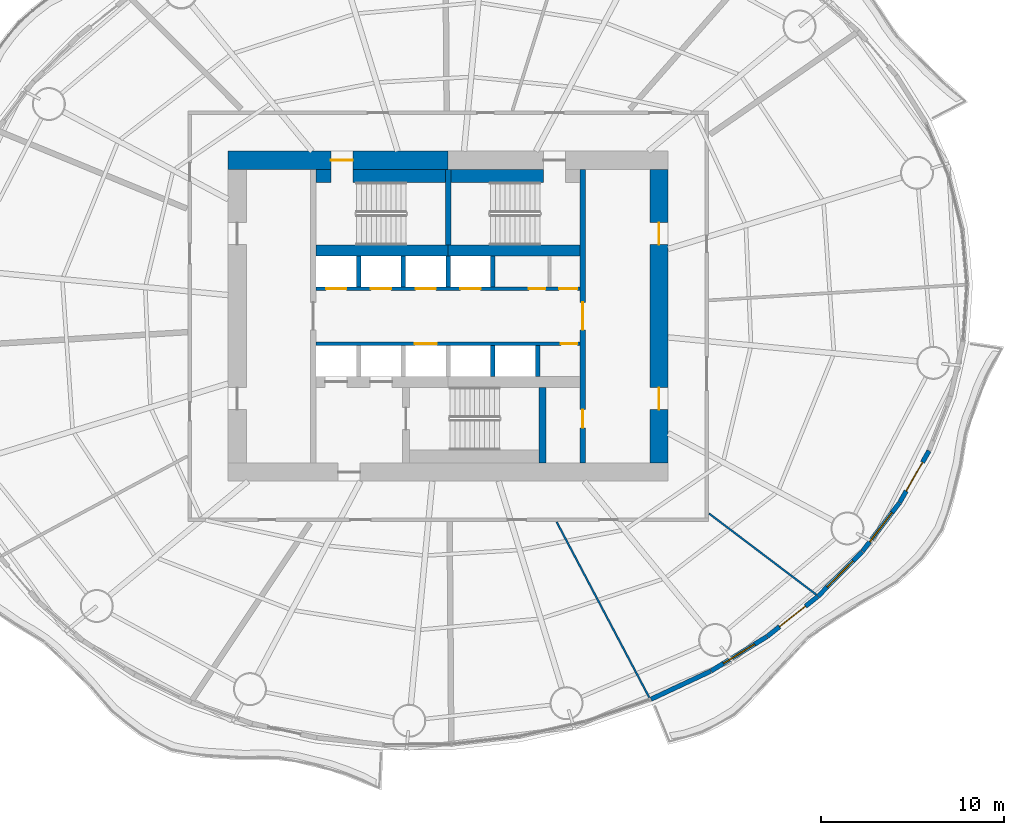
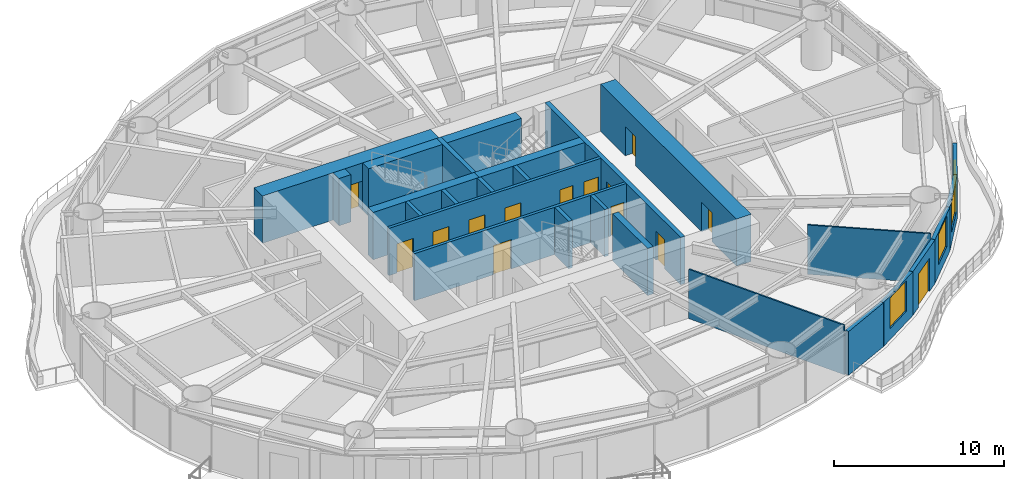
# One storey, part 9 of 16: 26 walls, 15 doors, 3 windows, 18 openings.
"""IFC4 building model written with IfcOpenShell, lengths in metres."""

from ifc_helpers import new_model, si_unit, direction, frame, frame_2d, origin, place, context, subcontext, project, spatial, rectangle, extrude, material, layer, layer_set, type_object, element, fill, save


model = new_model("IFC4")

# Units and contexts
model_context = context("Model", 3, precision=1e-05, world=origin(), true_north=direction((0.0, 1.0)))
body_context = subcontext(model_context, "Body", "Model", "MODEL_VIEW")
ifc_project = project(units=[si_unit("LENGTHUNIT", "METRE"), si_unit("AREAUNIT", "SQUARE_METRE"), si_unit("VOLUMEUNIT", "CUBIC_METRE"), si_unit("PLANEANGLEUNIT", "RADIAN"), si_unit("MASSUNIT", "GRAM", prefix="KILO")], contexts=[model_context])

# Site, building, storey
site_placement = place(None, origin())
site = spatial("IfcSite", under=ifc_project, at=site_placement, CompositionType="ELEMENT")
building_placement = place(site_placement, origin())
building = spatial("IfcBuilding", under=site, at=building_placement, Name="Vermilion Reach Broadcast Tower", CompositionType="ELEMENT")
storey_placement = place(building_placement, frame((0.0, 0.0, 73.0)))
storey = spatial("IfcBuildingStorey", under=building, at=storey_placement, Name="L15", CompositionType="ELEMENT", Elevation=73.0)

# Wall, openings, doors
ifc_material_1 = material(Name="Concrete C70", Category="concrete")
ifc_layer_1 = layer(ifc_material_1, 0.300048828125)
ifc_layer_set_1 = layer_set([ifc_layer_1], Name="Core inner wall 300 mm Concrete C70")
wall_type_1 = type_object("IfcWallType", Name="Core inner wall 300 mm Concrete C70", PredefinedType="SHEAR", material=ifc_layer_set_1)
wall_1_placement = place(storey_placement, frame((1.35009765625, -8.0, 0.0), z_axis=(0.0, 0.0, 1.0), x_axis=(0.0, 1.0, 0.0)))
wall_1 = element("IfcWall", 1, at=wall_1_placement, inside=storey, type_object=wall_type_1, Name="L15 core wall ewE", PredefinedType="SHEAR", context=body_context, shape_type="SweptSolid", body=[
    extrude(rectangle(XDim=16.0, YDim=0.300048828125, at=frame_2d((8.0, 0.0))), origin(), (0.0, 0.0, 1.0), 3.39990234375),
])
opening_1_placement = place(wall_1_placement, frame((1.909912109375, 0.0, 0.0)))
opening_1 = element("IfcOpeningElement", 2, at=opening_1_placement, cuts=wall_1, Name="Opening D05", PredefinedType="OPENING", context=body_context, shape_type="SweptSolid", body=[
    extrude(rectangle(XDim=1.0, YDim=2.10009765625, at=frame_2d((0.5, 1.050048828125))), frame((0.0, 0.159912109375, 0.0), z_axis=(0.0, -1.0, 0.0), x_axis=(1.0, 0.0, 0.0)), (0.0, 0.0, 1.0), 0.320068359375),
])
opening_2_placement = place(wall_1_placement, frame((7.25, 0.0, 0.0)))
opening_2 = element("IfcOpeningElement", 3, at=opening_2_placement, cuts=wall_1, Name="Opening D04", PredefinedType="OPENING", context=body_context, shape_type="SweptSolid", body=[
    extrude(rectangle(XDim=1.5, YDim=2.10009765625, at=frame_2d((0.75, 1.050048828125))), frame((0.0, 0.159912109375, 0.0), z_axis=(0.0, -1.0, 0.0), x_axis=(1.0, 0.0, 0.0)), (0.0, 0.0, 1.0), 0.320068359375),
])
ifc_material_2 = material(Name="Painted steel fire door", Category="steel")
door_type_1 = type_object("IfcDoorType", Name="Lift lobby door 1500 x 2100", OperationType="DOUBLE_DOOR_SINGLE_SWING", PredefinedType="NOTDEFINED", material=ifc_material_2)
door_1_placement = place(opening_2_placement, origin())
door_1 = element("IfcDoor", 4, at=door_1_placement, inside=storey, type_object=door_type_1, Name="L15 band door BE", OperationType="DOUBLE_DOOR_SINGLE_SWING", OverallHeight=2.10009765625, OverallWidth=1.5, PredefinedType="NOTDEFINED", context=body_context, shape_type="SweptSolid", body=[
    extrude(rectangle(XDim=1.5, YDim=2.10009765625, at=frame_2d((0.75, 1.050048828125))), frame((0.0, 0.02490234375, 0.0), z_axis=(0.0, -1.0, 0.0), x_axis=(1.0, 0.0, 0.0)), (0.0, 0.0, 1.0), 0.050048828125),
])
fill(opening_2, door_1)
ifc_material_3 = material(Name="Timber door", Category="wood")
door_type_2 = type_object("IfcDoorType", Name="Room door 1000 x 2100", OperationType="NOTDEFINED", PredefinedType="NOTDEFINED", material=ifc_material_3)
door_2_placement = place(opening_1_placement, origin())
door_2 = element("IfcDoor", 5, at=door_2_placement, inside=storey, type_object=door_type_2, Name="L15 door SER", OperationType="SINGLE_SWING_LEFT", OverallHeight=2.10009765625, OverallWidth=1.0, PredefinedType="NOTDEFINED", context=body_context, shape_type="SweptSolid", body=[
    extrude(rectangle(XDim=1.0, YDim=2.10009765625, at=frame_2d((0.5, 1.050048828125))), frame((0.0, 0.02490234375, 0.0), z_axis=(0.0, -1.0, 0.0), x_axis=(1.0, 0.0, 0.0)), (0.0, 0.0, 1.0), 0.050048828125),
])
fill(opening_1, door_2)

# Walls
wall_2_placement = place(storey_placement, frame((-6.0, 3.8798828125, 0.0), z_axis=(0.0, 0.0, 1.0), x_axis=(0.0, 1.0, 0.0)))
element("IfcWall", 6, at=wall_2_placement, inside=storey, type_object=wall_type_1, Name="L15 core wall wc", PredefinedType="SHEAR", context=body_context, shape_type="SweptSolid", body=[
    extrude(rectangle(XDim=4.1201171875, YDim=0.300048828125, at=frame_2d((2.06005859375, 0.0))), origin(), (0.0, 0.0, 1.0), 3.39990234375),
])
ifc_material_4 = material(Name="Concrete C70", Category="concrete")
ifc_layer_2 = layer(ifc_material_4, 0.39990234375)
ifc_layer_set_2 = layer_set([ifc_layer_2], Name="Core inner wall 400 mm Concrete C70")
wall_type_2 = type_object("IfcWallType", Name="Core inner wall 400 mm Concrete C70", PredefinedType="SHEAR", material=ifc_layer_set_2)
wall_3_placement = place(storey_placement, frame((-0.85009765625, -3.8798828125, 0.0), z_axis=(0.0, 0.0, 1.0), x_axis=(0.0, -1.0, 0.0)))
element("IfcWall", 7, at=wall_3_placement, inside=storey, type_object=wall_type_2, Name="L15 core wall wb", PredefinedType="SHEAR", context=body_context, shape_type="SweptSolid", body=[
    extrude(rectangle(XDim=4.1201171875, YDim=0.39990234375, at=frame_2d((2.06005859375, 0.0))), origin(), (0.0, 0.0, 1.0), 3.39990234375),
])
ifc_material_5 = material(Name="Concrete C70", Category="concrete")
ifc_layer_3 = layer(ifc_material_5, 0.60009765625)
ifc_layer_set_3 = layer_set([ifc_layer_3], Name="Core inner wall 600 mm Concrete C70")
wall_type_3 = type_object("IfcWallType", Name="Core inner wall 600 mm Concrete C70", PredefinedType="SHEAR", material=ifc_layer_set_3)
for number, where, z_axis, x_axis, name in (
    (8, (-13.199951171875, 3.580078125, 0.0), (0.0, 0.0, 1.0), (1.0, 0.0, 0.0), "L15 core wall winW"),
    (9, (-6.0, 3.580078125, 0.0), (0.0, 0.0, 1.0), (1.0, 0.0, 0.0), "L15 core wall winE"),
):
    element("IfcWall", number, at=place(storey_placement, frame(where, z_axis=z_axis, x_axis=x_axis)), inside=storey, type_object=wall_type_3, Name=name, PredefinedType="SHEAR", context=body_context, shape_type="SweptSolid", body=[
        extrude(rectangle(XDim=7.199951171875, YDim=0.60009765625, at=frame_2d((3.60009765625, 0.0))), origin(), (0.0, 0.0, 1.0), 3.39990234375),
    ])

# Wall, opening, door
ifc_material_6 = material(Name="Concrete C70", Category="concrete")
ifc_layer_4 = layer(ifc_material_6, 1.0)
ifc_layer_set_4 = layer_set([ifc_layer_4], Name="Core outer wall 1000 mm Concrete C70")
wall_type_4 = type_object("IfcWallType", Name="Core outer wall 1000 mm Concrete C70", PredefinedType="SHEAR", material=ifc_layer_set_4)
wall_4_placement = place(storey_placement, frame((-6.0, 8.5, 0.0), z_axis=(0.0, 0.0, 1.0), x_axis=(-1.0, 0.0, 0.0)))
wall_4 = element("IfcWall", 10, at=wall_4_placement, inside=storey, type_object=wall_type_4, Name="L15 core wall onW", PredefinedType="SHEAR", context=body_context, shape_type="SweptSolid", body=[
    extrude(rectangle(XDim=12.0, YDim=1.0, at=frame_2d((6.0, 0.0))), origin(), (0.0, 0.0, 1.0), 3.39990234375),
])
opening_3_placement = place(wall_4_placement, frame((5.199951171875, 0.0, 0.0)))
opening_3 = element("IfcOpeningElement", 11, at=opening_3_placement, cuts=wall_4, Name="Opening D01", PredefinedType="OPENING", context=body_context, shape_type="SweptSolid", body=[
    extrude(rectangle(XDim=1.199951171875, YDim=2.10009765625, at=frame_2d((0.60009765625, 1.050048828125))), frame((0.0, 0.510009765625, 0.0), z_axis=(0.0, -1.0, 0.0), x_axis=(1.0, 0.0, 0.0)), (0.0, 0.0, 1.0), 1.02001953125),
])
ifc_material_7 = material(Name="Painted steel fire door", Category="steel")
door_type_3 = type_object("IfcDoorType", Name="Stair door 1200 x 2100", OperationType="DOUBLE_DOOR_SINGLE_SWING", PredefinedType="NOTDEFINED", material=ifc_material_7)
door_3_placement = place(opening_3_placement, origin())
door_3 = element("IfcDoor", 12, at=door_3_placement, inside=storey, type_object=door_type_3, Name="L15 stair door ST1", OperationType="DOUBLE_DOOR_SINGLE_SWING", OverallHeight=2.10009765625, OverallWidth=1.199951171875, PredefinedType="NOTDEFINED", context=body_context, shape_type="SweptSolid", body=[
    extrude(rectangle(XDim=1.199951171875, YDim=2.10009765625, at=frame_2d((0.60009765625, 1.050048828125))), frame((0.0, 0.02490234375, 0.0), z_axis=(0.0, -1.0, 0.0), x_axis=(1.0, 0.0, 0.0)), (0.0, 0.0, 1.0), 0.050048828125),
])
fill(opening_3, door_3)

# Wall, openings, doors
wall_5_placement = place(storey_placement, frame((5.5, -8.0, 0.0), z_axis=(0.0, 0.0, 1.0), x_axis=(0.0, 1.0, 0.0)))
wall_5 = element("IfcWall", 13, at=wall_5_placement, inside=storey, type_object=wall_type_4, Name="L15 core wall oe", PredefinedType="SHEAR", context=body_context, shape_type="SweptSolid", body=[
    extrude(rectangle(XDim=16.0, YDim=1.0, at=frame_2d((8.0, 0.0))), origin(), (0.0, 0.0, 1.0), 3.39990234375),
])
opening_4_placement = place(wall_5_placement, frame((2.89990234375, 0.0, 0.0)))
opening_4 = element("IfcOpeningElement", 14, at=opening_4_placement, cuts=wall_5, Name="Opening D03", PredefinedType="OPENING", context=body_context, shape_type="SweptSolid", body=[
    extrude(rectangle(XDim=1.199951171875, YDim=2.10009765625, at=frame_2d((0.60009765625, 1.050048828125))), frame((0.0, 0.510009765625, 0.0), z_axis=(0.0, -1.0, 0.0), x_axis=(1.0, 0.0, 0.0)), (0.0, 0.0, 1.0), 1.02001953125),
])
opening_5_placement = place(wall_5_placement, frame((11.89990234375, 0.0, 0.0)))
opening_5 = element("IfcOpeningElement", 15, at=opening_5_placement, cuts=wall_5, Name="Opening D03", PredefinedType="OPENING", context=body_context, shape_type="SweptSolid", body=[
    extrude(rectangle(XDim=1.199951171875, YDim=2.10009765625, at=frame_2d((0.60009765625, 1.050048828125))), frame((0.0, 0.510009765625, 0.0), z_axis=(0.0, -1.0, 0.0), x_axis=(1.0, 0.0, 0.0)), (0.0, 0.0, 1.0), 1.02001953125),
])
ifc_material_8 = material(Name="Painted steel fire door", Category="steel")
door_type_4 = type_object("IfcDoorType", Name="Core lobby door 1200 x 2100", OperationType="DOUBLE_DOOR_SINGLE_SWING", PredefinedType="NOTDEFINED", material=ifc_material_8)
door_4_placement = place(opening_4_placement, origin())
door_4 = element("IfcDoor", 16, at=door_4_placement, inside=storey, type_object=door_type_4, Name="L15 slot door E0", OperationType="DOUBLE_DOOR_SINGLE_SWING", OverallHeight=2.10009765625, OverallWidth=1.199951171875, PredefinedType="NOTDEFINED", context=body_context, shape_type="SweptSolid", body=[
    extrude(rectangle(XDim=1.199951171875, YDim=2.10009765625, at=frame_2d((0.60009765625, 1.050048828125))), frame((0.0, 0.02490234375, 0.0), z_axis=(0.0, -1.0, 0.0), x_axis=(1.0, 0.0, 0.0)), (0.0, 0.0, 1.0), 0.050048828125),
])
fill(opening_4, door_4)
door_5_placement = place(opening_5_placement, origin())
door_5 = element("IfcDoor", 17, at=door_5_placement, inside=storey, type_object=door_type_4, Name="L15 slot door E1", OperationType="DOUBLE_DOOR_SINGLE_SWING", OverallHeight=2.10009765625, OverallWidth=1.199951171875, PredefinedType="NOTDEFINED", context=body_context, shape_type="SweptSolid", body=[
    extrude(rectangle(XDim=1.199951171875, YDim=2.10009765625, at=frame_2d((0.60009765625, 1.050048828125))), frame((0.0, 0.02490234375, 0.0), z_axis=(0.0, -1.0, 0.0), x_axis=(1.0, 0.0, 0.0)), (0.0, 0.0, 1.0), 0.050048828125),
])
fill(opening_5, door_5)

ifc_material_9 = material(Name="Concrete C50", Category="concrete")
ifc_layer_5 = layer(ifc_material_9, 0.199951171875)
ifc_layer_set_5 = layer_set([ifc_layer_5], Name="Core shaft wall 200 mm Concrete C50")
wall_type_5 = type_object("IfcWallType", Name="Core shaft wall 200 mm Concrete C50", PredefinedType="SHEAR", material=ifc_layer_set_5)
wall_6_placement = place(storey_placement, frame((-13.199951171875, 1.5, 0.0), z_axis=(0.0, 0.0, 1.0), x_axis=(1.0, 0.0, 0.0)))
wall_6 = element("IfcWall", 18, at=wall_6_placement, inside=storey, type_object=wall_type_5, Name="L15 core wall fn", PredefinedType="SHEAR", context=body_context, shape_type="SweptSolid", body=[
    extrude(rectangle(XDim=14.39990234375, YDim=0.199951171875, at=frame_2d((7.199951171875, 0.0))), origin(), (0.0, 0.0, 1.0), 3.39990234375),
])
opening_6_placement = place(wall_6_placement, frame((0.5458984375, 0.0, 0.0)))
opening_6 = element("IfcOpeningElement", 19, at=opening_6_placement, cuts=wall_6, Name="Opening LD2", PredefinedType="OPENING", context=body_context, shape_type="SweptSolid", body=[
    extrude(rectangle(XDim=1.10009765625, YDim=2.10009765625, at=frame_2d((0.550048828125, 1.050048828125))), frame((0.0, 0.10986328125, 0.0), z_axis=(0.0, -1.0, 0.0), x_axis=(1.0, 0.0, 0.0)), (0.0, 0.0, 1.0), 0.219970703125),
])
opening_7_placement = place(wall_6_placement, frame((2.987548828125, 0.0, 0.0)))
opening_7 = element("IfcOpeningElement", 20, at=opening_7_placement, cuts=wall_6, Name="Opening LD2", PredefinedType="OPENING", context=body_context, shape_type="SweptSolid", body=[
    extrude(rectangle(XDim=1.10009765625, YDim=2.10009765625, at=frame_2d((0.550048828125, 1.050048828125))), frame((0.0, 0.10986328125, 0.0), z_axis=(0.0, -1.0, 0.0), x_axis=(1.0, 0.0, 0.0)), (0.0, 0.0, 1.0), 0.219970703125),
])
opening_8_placement = place(wall_6_placement, frame((5.42919921875, 0.0, 0.0)))
opening_8 = element("IfcOpeningElement", 21, at=opening_8_placement, cuts=wall_6, Name="Opening LD2", PredefinedType="OPENING", context=body_context, shape_type="SweptSolid", body=[
    extrude(rectangle(XDim=1.10009765625, YDim=2.10009765625, at=frame_2d((0.550048828125, 1.050048828125))), frame((0.0, 0.10986328125, 0.0), z_axis=(0.0, -1.0, 0.0), x_axis=(1.0, 0.0, 0.0)), (0.0, 0.0, 1.0), 0.219970703125),
])
opening_9_placement = place(wall_6_placement, frame((7.870849609375, 0.0, 0.0)))
opening_9 = element("IfcOpeningElement", 22, at=opening_9_placement, cuts=wall_6, Name="Opening LD2", PredefinedType="OPENING", context=body_context, shape_type="SweptSolid", body=[
    extrude(rectangle(XDim=1.10009765625, YDim=2.10009765625, at=frame_2d((0.550048828125, 1.050048828125))), frame((0.0, 0.10986328125, 0.0), z_axis=(0.0, -1.0, 0.0), x_axis=(1.0, 0.0, 0.0)), (0.0, 0.0, 1.0), 0.219970703125),
])
opening_10_placement = place(wall_6_placement, frame((11.60693359375, 0.0, 0.0)))
opening_10 = element("IfcOpeningElement", 23, at=opening_10_placement, cuts=wall_6, Name="Opening D06", PredefinedType="OPENING", context=body_context, shape_type="SweptSolid", body=[
    extrude(rectangle(XDim=0.89990234375, YDim=2.10009765625, at=frame_2d((0.449951171875, 1.050048828125))), frame((0.0, 0.10986328125, 0.0), z_axis=(0.0, -1.0, 0.0), x_axis=(1.0, 0.0, 0.0)), (0.0, 0.0, 1.0), 0.219970703125),
])
opening_11_placement = place(wall_6_placement, frame((13.25, 0.0, 0.0)))
opening_11 = element("IfcOpeningElement", 24, at=opening_11_placement, cuts=wall_6, Name="Opening D07", PredefinedType="OPENING", context=body_context, shape_type="SweptSolid", body=[
    extrude(rectangle(XDim=1.0, YDim=2.10009765625, at=frame_2d((0.5, 1.050048828125))), frame((0.0, 0.10986328125, 0.0), z_axis=(0.0, -1.0, 0.0), x_axis=(1.0, 0.0, 0.0)), (0.0, 0.0, 1.0), 0.219970703125),
])
ifc_material_10 = material(Name="Timber door", Category="wood")
door_type_5 = type_object("IfcDoorType", Name="Accessible WC door 1000 x 2100", OperationType="NOTDEFINED", PredefinedType="NOTDEFINED", material=ifc_material_10)
door_6_placement = place(opening_11_placement, origin())
door_6 = element("IfcDoor", 25, at=door_6_placement, inside=storey, type_object=door_type_5, Name="L15 door Accessible WC", OperationType="SINGLE_SWING_RIGHT", OverallHeight=2.10009765625, OverallWidth=1.0, PredefinedType="NOTDEFINED", context=body_context, shape_type="SweptSolid", body=[
    extrude(rectangle(XDim=1.0, YDim=2.10009765625, at=frame_2d((0.5, 1.050048828125))), frame((0.0, 0.02490234375, 0.0), z_axis=(0.0, -1.0, 0.0), x_axis=(1.0, 0.0, 0.0)), (0.0, 0.0, 1.0), 0.050048828125),
])
fill(opening_11, door_6)
ifc_material_11 = material(Name="Stainless steel", Category="steel")
door_type_6 = type_object("IfcDoorType", Name="Landing door 1100 x 2100", OperationType="DOUBLE_DOOR_SLIDING", PredefinedType="NOTDEFINED", material=ifc_material_11)
door_7_placement = place(opening_6_placement, origin())
door_7 = element("IfcDoor", 26, at=door_7_placement, inside=storey, type_object=door_type_6, Name="L15 landing door LR1", OperationType="DOUBLE_DOOR_SLIDING", OverallHeight=2.10009765625, OverallWidth=1.10009765625, PredefinedType="NOTDEFINED", context=body_context, shape_type="SweptSolid", body=[
    extrude(rectangle(XDim=1.10009765625, YDim=2.10009765625, at=frame_2d((0.550048828125, 1.050048828125))), frame((0.0, 0.02490234375, 0.0), z_axis=(0.0, -1.0, 0.0), x_axis=(1.0, 0.0, 0.0)), (0.0, 0.0, 1.0), 0.050048828125),
])
fill(opening_6, door_7)
door_8_placement = place(opening_7_placement, origin())
door_8 = element("IfcDoor", 27, at=door_8_placement, inside=storey, type_object=door_type_6, Name="L15 landing door LR2", OperationType="DOUBLE_DOOR_SLIDING", OverallHeight=2.10009765625, OverallWidth=1.10009765625, PredefinedType="NOTDEFINED", context=body_context, shape_type="SweptSolid", body=[
    extrude(rectangle(XDim=1.10009765625, YDim=2.10009765625, at=frame_2d((0.550048828125, 1.050048828125))), frame((0.0, 0.02490234375, 0.0), z_axis=(0.0, -1.0, 0.0), x_axis=(1.0, 0.0, 0.0)), (0.0, 0.0, 1.0), 0.050048828125),
])
fill(opening_7, door_8)
door_9_placement = place(opening_8_placement, origin())
door_9 = element("IfcDoor", 28, at=door_9_placement, inside=storey, type_object=door_type_6, Name="L15 landing door LR3", OperationType="DOUBLE_DOOR_SLIDING", OverallHeight=2.10009765625, OverallWidth=1.10009765625, PredefinedType="NOTDEFINED", context=body_context, shape_type="SweptSolid", body=[
    extrude(rectangle(XDim=1.10009765625, YDim=2.10009765625, at=frame_2d((0.550048828125, 1.050048828125))), frame((0.0, 0.02490234375, 0.0), z_axis=(0.0, -1.0, 0.0), x_axis=(1.0, 0.0, 0.0)), (0.0, 0.0, 1.0), 0.050048828125),
])
fill(opening_8, door_9)
door_10_placement = place(opening_9_placement, origin())
door_10 = element("IfcDoor", 29, at=door_10_placement, inside=storey, type_object=door_type_6, Name="L15 landing door LR4", OperationType="DOUBLE_DOOR_SLIDING", OverallHeight=2.10009765625, OverallWidth=1.10009765625, PredefinedType="NOTDEFINED", context=body_context, shape_type="SweptSolid", body=[
    extrude(rectangle(XDim=1.10009765625, YDim=2.10009765625, at=frame_2d((0.550048828125, 1.050048828125))), frame((0.0, 0.02490234375, 0.0), z_axis=(0.0, -1.0, 0.0), x_axis=(1.0, 0.0, 0.0)), (0.0, 0.0, 1.0), 0.050048828125),
])
fill(opening_9, door_10)
ifc_material_12 = material(Name="Timber door", Category="wood")
door_type_7 = type_object("IfcDoorType", Name="WC door 900 x 2100", OperationType="NOTDEFINED", PredefinedType="NOTDEFINED", material=ifc_material_12)
door_11_placement = place(opening_10_placement, origin())
door_11 = element("IfcDoor", 30, at=door_11_placement, inside=storey, type_object=door_type_7, Name="L15 door Female WC", OperationType="SINGLE_SWING_RIGHT", OverallHeight=2.10009765625, OverallWidth=0.89990234375, PredefinedType="NOTDEFINED", context=body_context, shape_type="SweptSolid", body=[
    extrude(rectangle(XDim=0.89990234375, YDim=2.10009765625, at=frame_2d((0.449951171875, 1.050048828125))), frame((0.0, 0.02490234375, 0.0), z_axis=(0.0, -1.0, 0.0), x_axis=(1.0, 0.0, 0.0)), (0.0, 0.0, 1.0), 0.050048828125),
])
fill(opening_10, door_11)

wall_7_placement = place(storey_placement, frame((1.199951171875, -1.5, 0.0), z_axis=(0.0, 0.0, 1.0), x_axis=(-1.0, 0.0, 0.0)))
wall_7 = element("IfcWall", 31, at=wall_7_placement, inside=storey, type_object=wall_type_5, Name="L15 core wall fs", PredefinedType="SHEAR", context=body_context, shape_type="SweptSolid", body=[
    extrude(rectangle(XDim=14.39990234375, YDim=0.199951171875, at=frame_2d((7.199951171875, 0.0))), origin(), (0.0, 0.0, 1.0), 3.39990234375),
])
opening_12_placement = place(wall_7_placement, frame((7.82080078125, 0.0, 0.0)))
opening_12 = element("IfcOpeningElement", 32, at=opening_12_placement, cuts=wall_7, Name="Opening LD1", PredefinedType="OPENING", context=body_context, shape_type="SweptSolid", body=[
    extrude(rectangle(XDim=1.199951171875, YDim=2.10009765625, at=frame_2d((0.60009765625, 1.050048828125))), frame((0.0, 0.10986328125, 0.0), z_axis=(0.0, -1.0, 0.0), x_axis=(1.0, 0.0, 0.0)), (0.0, 0.0, 1.0), 0.219970703125),
])
opening_13_placement = place(wall_7_placement, frame((0.14990234375, 0.0, 0.0)))
opening_13 = element("IfcOpeningElement", 33, at=opening_13_placement, cuts=wall_7, Name="Opening D06", PredefinedType="OPENING", context=body_context, shape_type="SweptSolid", body=[
    extrude(rectangle(XDim=0.89990234375, YDim=2.10009765625, at=frame_2d((0.449951171875, 1.050048828125))), frame((0.0, 0.10986328125, 0.0), z_axis=(0.0, -1.0, 0.0), x_axis=(1.0, 0.0, 0.0)), (0.0, 0.0, 1.0), 0.219970703125),
])
ifc_material_13 = material(Name="Stainless steel", Category="steel")
door_type_8 = type_object("IfcDoorType", Name="Landing door 1200 x 2100", OperationType="DOUBLE_DOOR_SLIDING", PredefinedType="NOTDEFINED", material=ifc_material_13)
door_12_placement = place(opening_12_placement, origin())
door_12 = element("IfcDoor", 34, at=door_12_placement, inside=storey, type_object=door_type_8, Name="L15 landing door SV1", OperationType="DOUBLE_DOOR_SLIDING", OverallHeight=2.10009765625, OverallWidth=1.199951171875, PredefinedType="NOTDEFINED", context=body_context, shape_type="SweptSolid", body=[
    extrude(rectangle(XDim=1.199951171875, YDim=2.10009765625, at=frame_2d((0.60009765625, 1.050048828125))), frame((0.0, 0.02490234375, 0.0), z_axis=(0.0, -1.0, 0.0), x_axis=(1.0, 0.0, 0.0)), (0.0, 0.0, 1.0), 0.050048828125),
])
fill(opening_12, door_12)
door_13_placement = place(opening_13_placement, origin())
door_13 = element("IfcDoor", 35, at=door_13_placement, inside=storey, type_object=door_type_7, Name="L15 door Male WC", OperationType="SINGLE_SWING_LEFT", OverallHeight=2.10009765625, OverallWidth=0.89990234375, PredefinedType="NOTDEFINED", context=body_context, shape_type="SweptSolid", body=[
    extrude(rectangle(XDim=0.89990234375, YDim=2.10009765625, at=frame_2d((0.449951171875, 1.050048828125))), frame((0.0, 0.02490234375, 0.0), z_axis=(0.0, -1.0, 0.0), x_axis=(1.0, 0.0, 0.0)), (0.0, 0.0, 1.0), 0.050048828125),
])
fill(opening_13, door_13)

# Walls
ifc_material_14 = material(Name="Concrete C50", Category="concrete")
ifc_layer_6 = layer(ifc_material_14, 0.25)
ifc_layer_set_6 = layer_set([ifc_layer_6], Name="Core shaft wall 250 mm Concrete C50")
wall_type_6 = type_object("IfcWallType", Name="Core shaft wall 250 mm Concrete C50", PredefinedType="SHEAR", material=ifc_layer_set_6)
for number, where, z_axis, x_axis, name in (
    (36, (-10.88330078125, 1.60009765625, 0.0), (0.0, 0.0, 1.0), (0.0, 1.0, 0.0), "L15 core wall psN0"),
    (37, (-8.441650390625, 1.60009765625, 0.0), (0.0, 0.0, 1.0), (0.0, 1.0, 0.0), "L15 core wall psN1"),
    (38, (-6.0, 1.60009765625, 0.0), (0.0, 0.0, 1.0), (0.0, 1.0, 0.0), "L15 core wall psN2"),
    (39, (-3.558349609375, 1.60009765625, 0.0), (0.0, 0.0, 1.0), (0.0, 1.0, 0.0), "L15 core wall psN3"),
    (40, (-3.558349609375, -1.60009765625, 0.0), (0.0, 0.0, 1.0), (0.0, -1.0, 0.0), "L15 core wall psS3"),
    (41, (-1.11669921875, -1.60009765625, 0.0), (0.0, 0.0, 1.0), (0.0, -1.0, 0.0), "L15 core wall psS4"),
):
    element("IfcWall", number, at=place(storey_placement, frame(where, z_axis=z_axis, x_axis=x_axis)), inside=storey, type_object=wall_type_6, Name=name, PredefinedType="SHEAR", context=body_context, shape_type="SweptSolid", body=[
        extrude(rectangle(XDim=1.679931640625, YDim=0.25, at=frame_2d((0.83984375, 0.0))), origin(), (0.0, 0.0, 1.0), 3.39990234375),
    ])
ifc_material_15 = material(Name="Concrete C70", Category="concrete")
ifc_layer_7 = layer(ifc_material_15, 0.699951171875)
ifc_layer_set_7 = layer_set([ifc_layer_7], Name="Core stair wall 700 mm Concrete C70")
wall_type_7 = type_object("IfcWallType", Name="Core stair wall 700 mm Concrete C70", PredefinedType="SHEAR", material=ifc_layer_set_7)
wall_8_placement = place(storey_placement, frame((-13.199951171875, 7.64990234375, 0.0), z_axis=(0.0, 0.0, 1.0), x_axis=(1.0, 0.0, 0.0)))
element("IfcWall", 42, at=wall_8_placement, inside=storey, type_object=wall_type_7, Name="L15 core wall l1a", PredefinedType="SHEAR", context=body_context, shape_type="SweptSolid", body=[
    extrude(rectangle(XDim=0.800048828125, YDim=0.699951171875, at=frame_2d((0.39990234375, 0.0))), origin(), (0.0, 0.0, 1.0), 3.39990234375),
])
for number, where, z_axis, x_axis, name in (
    (43, (-11.199951171875, 7.64990234375, 0.0), (0.0, 0.0, 1.0), (1.0, 0.0, 0.0), "L15 core wall l1b"),
    (44, (-5.85009765625, 7.64990234375, 0.0), (0.0, 0.0, 1.0), (1.0, 0.0, 0.0), "L15 core wall l2a"),
):
    element("IfcWall", number, at=place(storey_placement, frame(where, z_axis=z_axis, x_axis=x_axis)), inside=storey, type_object=wall_type_7, Name=name, PredefinedType="SHEAR", context=body_context, shape_type="SweptSolid", body=[
        extrude(rectangle(XDim=5.050048828125, YDim=0.699951171875, at=frame_2d((2.52490234375, 0.0))), origin(), (0.0, 0.0, 1.0), 3.39990234375),
    ])
ifc_material_16 = material(Name="Plasterboard on steel stud", Category="steel")
ifc_layer_8 = layer(ifc_material_16, 0.10009765625)
ifc_layer_set_8 = layer_set([ifc_layer_8], Name="Partition 100 steel stud")
wall_type_8 = type_object("IfcWallType", Name="Partition 100 steel stud", PredefinedType="PARTITIONING", material=ifc_layer_set_8)
wall_9_placement = place(storey_placement, frame((4.9697265625, -20.796875, 0.0), z_axis=(0.0, 0.0, 1.0), x_axis=(-0.466551313445, 0.884494133346, 0.0)))
element("IfcWall", 45, at=wall_9_placement, inside=storey, type_object=wall_type_8, Name="Partition 15.11", PredefinedType="PARTITIONING", context=body_context, shape_type="SweptSolid", body=[
    extrude(rectangle(XDim=10.82373046875, YDim=0.10009765625, at=frame_2d((5.411865234375, 0.0))), origin(), (0.0, 0.0, 1.0), 3.550048828125),
])
wall_10_placement = place(storey_placement, frame((14.085205078125, -15.18896484375, 0.0), z_axis=(0.0, 0.0, 1.0), x_axis=(-0.797607036042, 0.603177433311, 0.0)))
element("IfcWall", 46, at=wall_10_placement, inside=storey, type_object=wall_type_8, Name="Partition 15.12", PredefinedType="PARTITIONING", context=body_context, shape_type="SweptSolid", body=[
    extrude(rectangle(XDim=7.340576171875, YDim=0.10009765625, at=frame_2d((3.67041015625, 0.0))), origin(), (0.0, 0.0, 1.0), 3.550048828125),
])
ifc_material_17 = material(Name="Terracotta rainscreen cladding", Category="masonry")
ifc_layer_9 = layer(ifc_material_17, 0.25)
ifc_layer_set_9 = layer_set([ifc_layer_9], Name="Terracotta rainscreen wall 250")
wall_type_9 = type_object("IfcWallType", Name="Terracotta rainscreen wall 250", PredefinedType="SOLIDWALL", material=ifc_layer_set_9)
wall_11_placement = place(storey_placement, frame((5.06640625, -20.889404296875, 0.0), z_axis=(0.0, 0.0, 1.0), x_axis=(0.905219888946, 0.424943469955, 0.0)))
element("IfcWall", 47, at=wall_11_placement, inside=storey, type_object=wall_type_9, Name="External wall L15 38", PredefinedType="SOLIDWALL", context=body_context, shape_type="SweptSolid", body=[
    extrude(rectangle(XDim=3.595947265625, YDim=0.25, at=frame_2d((1.7978515625, 0.0))), origin(), (0.0, 0.0, 1.0), 3.14990234375),
])

# Wall, opening, window
wall_12_placement = place(storey_placement, frame((8.3408203125, -19.350830078125, 0.0), z_axis=(0.0, 0.0, 1.0), x_axis=(0.851723868461, 0.523990889132, 0.0)))
wall_12 = element("IfcWall", 48, at=wall_12_placement, inside=storey, type_object=wall_type_9, Name="External wall L15 39", PredefinedType="SOLIDWALL", context=body_context, shape_type="SweptSolid", body=[
    extrude(rectangle(XDim=3.580078125, YDim=0.25, at=frame_2d((1.7900390625, 0.0))), origin(), (0.0, 0.0, 1.0), 3.14990234375),
])
opening_14_placement = place(wall_12_placement, frame((0.7900390625, 0.0, 0.800048828125)))
opening_14 = element("IfcOpeningElement", 49, at=opening_14_placement, cuts=wall_12, Name="Opening W01", PredefinedType="OPENING", context=body_context, shape_type="SweptSolid", body=[
    extrude(rectangle(XDim=2.0, YDim=2.199951171875, at=frame_2d((1.0, 1.10009765625))), frame((0.0, 0.135009765625, 0.0), z_axis=(0.0, -1.0, 0.0), x_axis=(1.0, 0.0, 0.0)), (0.0, 0.0, 1.0), 0.27001953125),
])
ifc_material_18 = material(Name="Low-e laminated clear glass in aluminium frame", Category="aluminium")
window_type = type_object("IfcWindowType", Name="Punched window 2000 x 2200 sill 800", PartitioningType="SINGLE_PANEL", PredefinedType="WINDOW", material=ifc_material_18)
window_1_placement = place(opening_14_placement, origin())
window_1 = element("IfcWindow", 50, at=window_1_placement, inside=storey, type_object=window_type, Name="Window L15 39", OverallHeight=2.199951171875, OverallWidth=2.0, PartitioningType="SINGLE_PANEL", PredefinedType="WINDOW", context=body_context, shape_type="SweptSolid", body=[
    extrude(rectangle(XDim=2.0, YDim=2.199951171875, at=frame_2d((1.0, 1.10009765625))), frame((0.0, 0.030029296875, 0.0), z_axis=(0.0, -1.0, 0.0), x_axis=(1.0, 0.0, 0.0)), (0.0, 0.0, 1.0), 0.06005859375),
])
fill(opening_14, window_1)

# Wall, opening, door
wall_13_placement = place(storey_placement, frame((11.408447265625, -17.4619140625, 0.0), z_axis=(0.0, 0.0, 1.0), x_axis=(0.784747250061, 0.619815902928, 0.0)))
wall_13 = element("IfcWall", 51, at=wall_13_placement, inside=storey, type_object=wall_type_9, Name="External wall L15 40", PredefinedType="SOLIDWALL", context=body_context, shape_type="SweptSolid", body=[
    extrude(rectangle(XDim=3.505126953125, YDim=0.25, at=frame_2d((1.75244140625, 0.0))), origin(), (0.0, 0.0, 1.0), 3.14990234375),
])
opening_15_placement = place(wall_13_placement, frame((0.85302734375, 0.0, 0.0)))
opening_15 = element("IfcOpeningElement", 52, at=opening_15_placement, cuts=wall_13, Name="Opening D70", PredefinedType="OPENING", context=body_context, shape_type="SweptSolid", body=[
    extrude(rectangle(XDim=1.800048828125, YDim=2.39990234375, at=frame_2d((0.89990234375, 1.199951171875))), frame((0.0, 0.135009765625, 0.0), z_axis=(0.0, -1.0, 0.0), x_axis=(1.0, 0.0, 0.0)), (0.0, 0.0, 1.0), 0.27001953125),
])
ifc_material_19 = material(Name="Low-e laminated clear glass in aluminium frame", Category="aluminium")
door_type_9 = type_object("IfcDoorType", Name="Balcony sliding door 1800 x 2400", OperationType="DOUBLE_DOOR_SLIDING", PredefinedType="DOOR", material=ifc_material_19)
door_14_placement = place(opening_15_placement, origin())
door_14 = element("IfcDoor", 53, at=door_14_placement, inside=storey, type_object=door_type_9, Name="Balcony door L15 run 10", OperationType="DOUBLE_DOOR_SLIDING", OverallHeight=2.39990234375, OverallWidth=1.800048828125, PredefinedType="DOOR", context=body_context, shape_type="SweptSolid", body=[
    extrude(rectangle(XDim=1.800048828125, YDim=2.39990234375, at=frame_2d((0.89990234375, 1.199951171875))), frame((0.0, 0.02490234375, 0.0), z_axis=(0.0, -1.0, 0.0), x_axis=(1.0, 0.0, 0.0)), (0.0, 0.0, 1.0), 0.050048828125),
])
fill(opening_15, door_14)

# Wall, opening, window
wall_14_placement = place(storey_placement, frame((14.176513671875, -15.27392578125, 0.0), z_axis=(0.0, 0.0, 1.0), x_axis=(0.703348795403, 0.710844900105, 0.0)))
wall_14 = element("IfcWall", 54, at=wall_14_placement, inside=storey, type_object=wall_type_9, Name="External wall L15 41", PredefinedType="SOLIDWALL", context=body_context, shape_type="SweptSolid", body=[
    extrude(rectangle(XDim=3.419677734375, YDim=0.25, at=frame_2d((1.7099609375, 0.0))), origin(), (0.0, 0.0, 1.0), 3.14990234375),
])
opening_16_placement = place(wall_14_placement, frame((0.709716796875, 0.0, 0.800048828125)))
opening_16 = element("IfcOpeningElement", 55, at=opening_16_placement, cuts=wall_14, Name="Opening W01", PredefinedType="OPENING", context=body_context, shape_type="SweptSolid", body=[
    extrude(rectangle(XDim=2.0, YDim=2.199951171875, at=frame_2d((1.0, 1.10009765625))), frame((0.0, 0.135009765625, 0.0), z_axis=(0.0, -1.0, 0.0), x_axis=(1.0, 0.0, 0.0)), (0.0, 0.0, 1.0), 0.27001953125),
])
window_2_placement = place(opening_16_placement, origin())
window_2 = element("IfcWindow", 56, at=window_2_placement, inside=storey, type_object=window_type, Name="Window L15 41", OverallHeight=2.199951171875, OverallWidth=2.0, PartitioningType="SINGLE_PANEL", PredefinedType="WINDOW", context=body_context, shape_type="SweptSolid", body=[
    extrude(rectangle(XDim=2.0, YDim=2.199951171875, at=frame_2d((1.0, 1.10009765625))), frame((0.0, 0.030029296875, 0.0), z_axis=(0.0, -1.0, 0.0), x_axis=(1.0, 0.0, 0.0)), (0.0, 0.0, 1.0), 0.06005859375),
])
fill(opening_16, window_2)

wall_15_placement = place(storey_placement, frame((16.59765625, -12.824951171875, 0.0), z_axis=(0.0, 0.0, 1.0), x_axis=(0.606551340404, 0.795044320433, 0.0)))
wall_15 = element("IfcWall", 57, at=wall_15_placement, inside=storey, type_object=wall_type_9, Name="External wall L15 42", PredefinedType="SOLIDWALL", context=body_context, shape_type="SweptSolid", body=[
    extrude(rectangle(XDim=3.32861328125, YDim=0.25, at=frame_2d((1.664306640625, 0.0))), origin(), (0.0, 0.0, 1.0), 3.14990234375),
])
opening_17_placement = place(wall_15_placement, frame((0.664306640625, 0.0, 0.800048828125)))
opening_17 = element("IfcOpeningElement", 58, at=opening_17_placement, cuts=wall_15, Name="Opening W01", PredefinedType="OPENING", context=body_context, shape_type="SweptSolid", body=[
    extrude(rectangle(XDim=2.0, YDim=2.199951171875, at=frame_2d((1.0, 1.10009765625))), frame((0.0, 0.135009765625, 0.0), z_axis=(0.0, -1.0, 0.0), x_axis=(1.0, 0.0, 0.0)), (0.0, 0.0, 1.0), 0.27001953125),
])
window_3_placement = place(opening_17_placement, origin())
window_3 = element("IfcWindow", 59, at=window_3_placement, inside=storey, type_object=window_type, Name="Window L15 42", OverallHeight=2.199951171875, OverallWidth=2.0, PartitioningType="SINGLE_PANEL", PredefinedType="WINDOW", context=body_context, shape_type="SweptSolid", body=[
    extrude(rectangle(XDim=2.0, YDim=2.199951171875, at=frame_2d((1.0, 1.10009765625))), frame((0.0, 0.030029296875, 0.0), z_axis=(0.0, -1.0, 0.0), x_axis=(1.0, 0.0, 0.0)), (0.0, 0.0, 1.0), 0.06005859375),
])
fill(opening_17, window_3)

# Wall, opening, door
wall_16_placement = place(storey_placement, frame((18.63037109375, -10.157958984375, 0.0), z_axis=(0.0, 0.0, 1.0), x_axis=(0.49387210609, 0.86953455528, 0.0)))
wall_16 = element("IfcWall", 60, at=wall_16_placement, inside=storey, type_object=wall_type_9, Name="External wall L15 43", PredefinedType="SOLIDWALL", context=body_context, shape_type="SweptSolid", body=[
    extrude(rectangle(XDim=3.238525390625, YDim=0.25, at=frame_2d((1.619140625, 0.0))), origin(), (0.0, 0.0, 1.0), 3.14990234375),
])
opening_18_placement = place(wall_16_placement, frame((0.718994140625, 0.0, 0.0)))
opening_18 = element("IfcOpeningElement", 61, at=opening_18_placement, cuts=wall_16, Name="Opening D70", PredefinedType="OPENING", context=body_context, shape_type="SweptSolid", body=[
    extrude(rectangle(XDim=1.800048828125, YDim=2.39990234375, at=frame_2d((0.89990234375, 1.199951171875))), frame((0.0, 0.135009765625, 0.0), z_axis=(0.0, -1.0, 0.0), x_axis=(1.0, 0.0, 0.0)), (0.0, 0.0, 1.0), 0.27001953125),
])
door_15_placement = place(opening_18_placement, origin())
door_15 = element("IfcDoor", 62, at=door_15_placement, inside=storey, type_object=door_type_9, Name="Balcony door L15 run 11", OperationType="DOUBLE_DOOR_SLIDING", OverallHeight=2.39990234375, OverallWidth=1.800048828125, PredefinedType="DOOR", context=body_context, shape_type="SweptSolid", body=[
    extrude(rectangle(XDim=1.800048828125, YDim=2.39990234375, at=frame_2d((0.89990234375, 1.199951171875))), frame((0.0, 0.02490234375, 0.0), z_axis=(0.0, -1.0, 0.0), x_axis=(1.0, 0.0, 0.0)), (0.0, 0.0, 1.0), 0.050048828125),
])
fill(opening_18, door_15)

save(model, "model.ifc")
